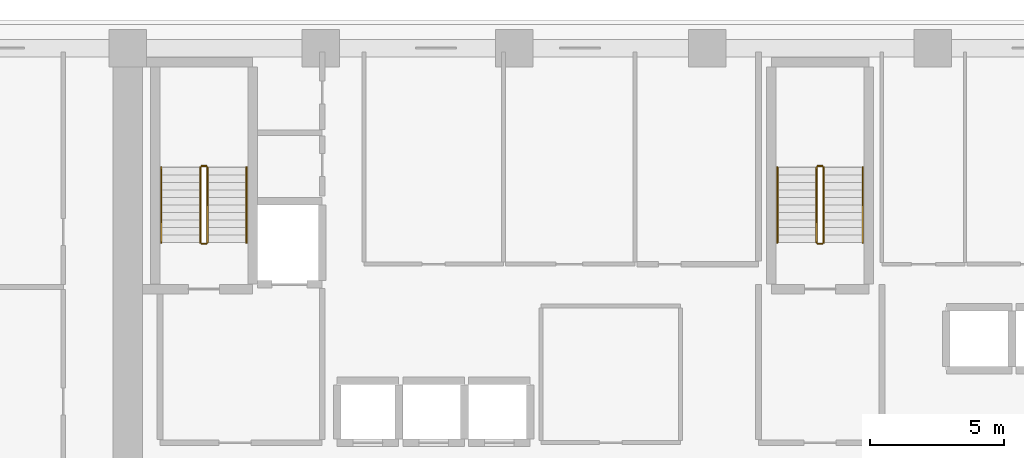
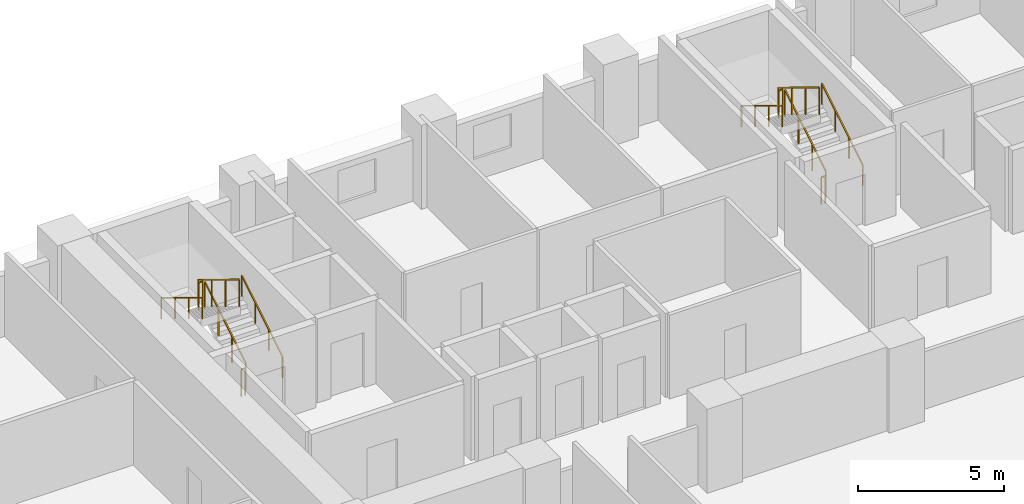
# One storey, part 13 of 15: 12 railings.
"""IFC4 building model written with IfcOpenShell, lengths in metres."""

from ifc_helpers import new_model, si_unit, direction, frame, origin, origin_2d, place, context, subcontext, project, spatial, rectangle, extrude, material, type_object, element, save


model = new_model("IFC4")

# Units and contexts
model_context = context("Model", 3, precision=1e-05, world=origin(), true_north=direction((0.0, 1.0)))
body_context = subcontext(model_context, "Body", "Model", "MODEL_VIEW")
ifc_project = project(units=[si_unit("LENGTHUNIT", "METRE"), si_unit("AREAUNIT", "SQUARE_METRE"), si_unit("VOLUMEUNIT", "CUBIC_METRE"), si_unit("PLANEANGLEUNIT", "RADIAN"), si_unit("MASSUNIT", "GRAM", prefix="KILO")], contexts=[model_context])

# Site, building, storey
site_placement = place(None, origin())
site = spatial("IfcSite", under=ifc_project, at=site_placement, CompositionType="ELEMENT")
building_placement = place(site_placement, origin())
building = spatial("IfcBuilding", under=site, at=building_placement, Name="Kaelvorn Grand Hotel", CompositionType="ELEMENT")
storey_placement = place(building_placement, frame((0.0, 0.0, 68.89990234375)))
storey = spatial("IfcBuildingStorey", under=building, at=storey_placement, Name="L15", CompositionType="ELEMENT", Elevation=68.89990234375)

# Railings
ifc_material = material(Name="Stainless Steel", Category="steel")
railing_type_1 = type_object("IfcRailingType", Name="RL-HANDRAIL-900", PredefinedType="HANDRAIL", material=ifc_material)
railing_1_placement = place(storey_placement, frame((20.6298828125, 41.760009765625, 0.170654296875)))
element("IfcRailing", 1, at=railing_1_placement, inside=storey, type_object=railing_type_1, Name="L15 ST1 stair handrail 1", PredefinedType="HANDRAIL", context=body_context, shape_type="SweptSolid", body=[
    extrude(rectangle(XDim=0.048095703125, YDim=0.048095703125, at=origin_2d()), frame((0.0, 0.0, 0.8759765625), z_axis=(0.0, 0.854202870247, 0.519939858505), x_axis=(-1.0, 0.0, 0.0)), (0.0, 0.0, 1.0), 3.278076171875),
    extrude(rectangle(XDim=0.0419921875, YDim=0.0419921875, at=origin_2d()), origin(), (0.0, 0.0, 1.0), 0.851806640625),
    extrude(rectangle(XDim=0.0419921875, YDim=0.0419921875, at=origin_2d()), frame((0.0, 0.933349609375, 0.568115234375)), (0.0, 0.0, 1.0), 0.851806640625),
    extrude(rectangle(XDim=0.0419921875, YDim=0.0419921875, at=origin_2d()), frame((0.0, 1.86669921875, 1.13623046875)), (0.0, 0.0, 1.0), 0.851806640625),
    extrude(rectangle(XDim=0.0419921875, YDim=0.0419921875, at=origin_2d()), frame((0.0, 2.800048828125, 1.704345703125)), (0.0, 0.0, 1.0), 0.851806640625),
])
railing_2_placement = place(storey_placement, frame((17.449951171875, 44.56005859375, 2.045654296875)))
element("IfcRailing", 2, at=railing_2_placement, inside=storey, type_object=railing_type_1, Name="L15 ST1 stair handrail 2", PredefinedType="HANDRAIL", context=body_context, shape_type="SweptSolid", body=[
    extrude(rectangle(XDim=0.048095703125, YDim=0.048095703125, at=origin_2d()), frame((0.0, 0.0, 0.8759765625), z_axis=(0.0, -0.854202870247, 0.519939858505), x_axis=(1.0, 0.0, 0.0)), (0.0, 0.0, 1.0), 3.278076171875),
    extrude(rectangle(XDim=0.0419921875, YDim=0.0419921875, at=origin_2d()), origin(), (0.0, 0.0, 1.0), 0.851806640625),
    extrude(rectangle(XDim=0.0419921875, YDim=0.0419921875, at=origin_2d()), frame((0.0, -0.933349609375, 0.568115234375)), (0.0, 0.0, 1.0), 0.851806640625),
    extrude(rectangle(XDim=0.0419921875, YDim=0.0419921875, at=origin_2d()), frame((0.0, -1.86669921875, 1.13623046875)), (0.0, 0.0, 1.0), 0.851806640625),
    extrude(rectangle(XDim=0.0419921875, YDim=0.0419921875, at=origin_2d()), frame((0.0, -2.800048828125, 1.704345703125)), (0.0, 0.0, 1.0), 0.851806640625),
])
railing_3_placement = place(storey_placement, frame((43.590087890625, 41.760009765625, 0.170654296875)))
element("IfcRailing", 3, at=railing_3_placement, inside=storey, type_object=railing_type_1, Name="L15 ST2 stair handrail 1", PredefinedType="HANDRAIL", context=body_context, shape_type="SweptSolid", body=[
    extrude(rectangle(XDim=0.048095703125, YDim=0.048095703125, at=origin_2d()), frame((0.0, 0.0, 0.8759765625), z_axis=(0.0, 0.854202870247, 0.519939858505), x_axis=(-1.0, 0.0, 0.0)), (0.0, 0.0, 1.0), 3.278076171875),
    extrude(rectangle(XDim=0.0419921875, YDim=0.0419921875, at=origin_2d()), origin(), (0.0, 0.0, 1.0), 0.851806640625),
    extrude(rectangle(XDim=0.0419921875, YDim=0.0419921875, at=origin_2d()), frame((0.0, 0.933349609375, 0.568115234375)), (0.0, 0.0, 1.0), 0.851806640625),
    extrude(rectangle(XDim=0.0419921875, YDim=0.0419921875, at=origin_2d()), frame((0.0, 1.86669921875, 1.13623046875)), (0.0, 0.0, 1.0), 0.851806640625),
    extrude(rectangle(XDim=0.0419921875, YDim=0.0419921875, at=origin_2d()), frame((0.0, 2.800048828125, 1.704345703125)), (0.0, 0.0, 1.0), 0.851806640625),
])
railing_4_placement = place(storey_placement, frame((40.409912109375, 44.56005859375, 2.045654296875)))
element("IfcRailing", 4, at=railing_4_placement, inside=storey, type_object=railing_type_1, Name="L15 ST2 stair handrail 2", PredefinedType="HANDRAIL", context=body_context, shape_type="SweptSolid", body=[
    extrude(rectangle(XDim=0.048095703125, YDim=0.048095703125, at=origin_2d()), frame((0.0, 0.0, 0.8759765625), z_axis=(0.0, -0.854202870247, 0.519939858505), x_axis=(1.0, 0.0, 0.0)), (0.0, 0.0, 1.0), 3.278076171875),
    extrude(rectangle(XDim=0.0419921875, YDim=0.0419921875, at=origin_2d()), origin(), (0.0, 0.0, 1.0), 0.851806640625),
    extrude(rectangle(XDim=0.0419921875, YDim=0.0419921875, at=origin_2d()), frame((0.0, -0.933349609375, 0.568115234375)), (0.0, 0.0, 1.0), 0.851806640625),
    extrude(rectangle(XDim=0.0419921875, YDim=0.0419921875, at=origin_2d()), frame((0.0, -1.86669921875, 1.13623046875)), (0.0, 0.0, 1.0), 0.851806640625),
    extrude(rectangle(XDim=0.0419921875, YDim=0.0419921875, at=origin_2d()), frame((0.0, -2.800048828125, 1.704345703125)), (0.0, 0.0, 1.0), 0.851806640625),
])
railing_type_2 = type_object("IfcRailingType", Name="RL-STAIR-GUARD-1150", PredefinedType="BALUSTRADE", material=ifc_material)
railing_5_placement = place(storey_placement, frame((19.169921875, 41.760009765625, 0.170654296875)))
element("IfcRailing", 5, at=railing_5_placement, inside=storey, type_object=railing_type_2, Name="L15 ST1 stair guard 1", PredefinedType="BALUSTRADE", context=body_context, shape_type="SweptSolid", body=[
    extrude(rectangle(XDim=0.048095703125, YDim=0.048095703125, at=origin_2d()), frame((0.0, 0.0, 1.1259765625), z_axis=(0.0, 0.854202870247, 0.519939858505), x_axis=(-1.0, 0.0, 0.0)), (0.0, 0.0, 1.0), 3.278076171875),
    extrude(rectangle(XDim=0.0419921875, YDim=0.0419921875, at=origin_2d()), origin(), (0.0, 0.0, 1.0), 1.101806640625),
    extrude(rectangle(XDim=0.0419921875, YDim=0.0419921875, at=origin_2d()), frame((0.0, 0.933349609375, 0.568115234375)), (0.0, 0.0, 1.0), 1.101806640625),
    extrude(rectangle(XDim=0.0419921875, YDim=0.0419921875, at=origin_2d()), frame((0.0, 1.86669921875, 1.13623046875)), (0.0, 0.0, 1.0), 1.101806640625),
    extrude(rectangle(XDim=0.0419921875, YDim=0.0419921875, at=origin_2d()), frame((0.0, 2.800048828125, 1.704345703125)), (0.0, 0.0, 1.0), 1.101806640625),
])
railing_6_placement = place(storey_placement, frame((19.1201171875, 44.610107421875, 1.875)))
element("IfcRailing", 6, at=railing_6_placement, inside=storey, type_object=railing_type_2, Name="L15 ST1 stair guard 2", PredefinedType="BALUSTRADE", context=body_context, shape_type="SweptSolid", body=[
    extrude(rectangle(XDim=0.048095703125, YDim=0.048095703125, at=origin_2d()), frame((0.0, 0.0, 1.1259765625), z_axis=(-1.0, 0.0, 0.0), x_axis=(0.0, -1.0, 0.0)), (0.0, 0.0, 1.0), 0.16015625),
    extrude(rectangle(XDim=0.0419921875, YDim=0.0419921875, at=origin_2d()), origin(), (0.0, 0.0, 1.0), 1.101806640625),
    extrude(rectangle(XDim=0.0419921875, YDim=0.0419921875, at=origin_2d()), frame((-0.16015625, 0.0, 0.0)), (0.0, 0.0, 1.0), 1.101806640625),
])
railing_7_placement = place(storey_placement, frame((18.909912109375, 44.56005859375, 2.045654296875)))
element("IfcRailing", 7, at=railing_7_placement, inside=storey, type_object=railing_type_2, Name="L15 ST1 stair guard 3", PredefinedType="BALUSTRADE", context=body_context, shape_type="SweptSolid", body=[
    extrude(rectangle(XDim=0.048095703125, YDim=0.048095703125, at=origin_2d()), frame((0.0, 0.0, 1.1259765625), z_axis=(0.0, -0.854202870247, 0.519939858505), x_axis=(1.0, 0.0, 0.0)), (0.0, 0.0, 1.0), 3.278076171875),
    extrude(rectangle(XDim=0.0419921875, YDim=0.0419921875, at=origin_2d()), origin(), (0.0, 0.0, 1.0), 1.101806640625),
    extrude(rectangle(XDim=0.0419921875, YDim=0.0419921875, at=origin_2d()), frame((0.0, -0.933349609375, 0.568115234375)), (0.0, 0.0, 1.0), 1.101806640625),
    extrude(rectangle(XDim=0.0419921875, YDim=0.0419921875, at=origin_2d()), frame((0.0, -1.86669921875, 1.13623046875)), (0.0, 0.0, 1.0), 1.101806640625),
    extrude(rectangle(XDim=0.0419921875, YDim=0.0419921875, at=origin_2d()), frame((0.0, -2.800048828125, 1.704345703125)), (0.0, 0.0, 1.0), 1.101806640625),
])
railing_8_placement = place(storey_placement, frame((19.1201171875, 41.7099609375, 0.0)))
element("IfcRailing", 8, at=railing_8_placement, inside=storey, type_object=railing_type_2, Name="L15 ST1 stair guard 4", PredefinedType="BALUSTRADE", context=body_context, shape_type="SweptSolid", body=[
    extrude(rectangle(XDim=0.048095703125, YDim=0.048095703125, at=origin_2d()), frame((0.0, 0.0, 1.1259765625), z_axis=(-1.0, 0.0, 0.0), x_axis=(0.0, -1.0, 0.0)), (0.0, 0.0, 1.0), 0.16015625),
    extrude(rectangle(XDim=0.0419921875, YDim=0.0419921875, at=origin_2d()), origin(), (0.0, 0.0, 1.0), 1.101806640625),
    extrude(rectangle(XDim=0.0419921875, YDim=0.0419921875, at=origin_2d()), frame((-0.16015625, 0.0, 0.0)), (0.0, 0.0, 1.0), 1.101806640625),
])
railing_9_placement = place(storey_placement, frame((42.1298828125, 41.760009765625, 0.170654296875)))
element("IfcRailing", 9, at=railing_9_placement, inside=storey, type_object=railing_type_2, Name="L15 ST2 stair guard 1", PredefinedType="BALUSTRADE", context=body_context, shape_type="SweptSolid", body=[
    extrude(rectangle(XDim=0.048095703125, YDim=0.048095703125, at=origin_2d()), frame((0.0, 0.0, 1.1259765625), z_axis=(0.0, 0.854202870247, 0.519939858505), x_axis=(-1.0, 0.0, 0.0)), (0.0, 0.0, 1.0), 3.278076171875),
    extrude(rectangle(XDim=0.0419921875, YDim=0.0419921875, at=origin_2d()), origin(), (0.0, 0.0, 1.0), 1.101806640625),
    extrude(rectangle(XDim=0.0419921875, YDim=0.0419921875, at=origin_2d()), frame((0.0, 0.933349609375, 0.568115234375)), (0.0, 0.0, 1.0), 1.101806640625),
    extrude(rectangle(XDim=0.0419921875, YDim=0.0419921875, at=origin_2d()), frame((0.0, 1.86669921875, 1.13623046875)), (0.0, 0.0, 1.0), 1.101806640625),
    extrude(rectangle(XDim=0.0419921875, YDim=0.0419921875, at=origin_2d()), frame((0.0, 2.800048828125, 1.704345703125)), (0.0, 0.0, 1.0), 1.101806640625),
])
railing_10_placement = place(storey_placement, frame((42.080078125, 44.610107421875, 1.875)))
element("IfcRailing", 10, at=railing_10_placement, inside=storey, type_object=railing_type_2, Name="L15 ST2 stair guard 2", PredefinedType="BALUSTRADE", context=body_context, shape_type="SweptSolid", body=[
    extrude(rectangle(XDim=0.048095703125, YDim=0.048095703125, at=origin_2d()), frame((0.0, 0.0, 1.1259765625), z_axis=(-1.0, 0.0, 0.0), x_axis=(0.0, -1.0, 0.0)), (0.0, 0.0, 1.0), 0.16015625),
    extrude(rectangle(XDim=0.0419921875, YDim=0.0419921875, at=origin_2d()), origin(), (0.0, 0.0, 1.0), 1.101806640625),
    extrude(rectangle(XDim=0.0419921875, YDim=0.0419921875, at=origin_2d()), frame((-0.16015625, 0.0, 0.0)), (0.0, 0.0, 1.0), 1.101806640625),
])
railing_11_placement = place(storey_placement, frame((41.8701171875, 44.56005859375, 2.045654296875)))
element("IfcRailing", 11, at=railing_11_placement, inside=storey, type_object=railing_type_2, Name="L15 ST2 stair guard 3", PredefinedType="BALUSTRADE", context=body_context, shape_type="SweptSolid", body=[
    extrude(rectangle(XDim=0.048095703125, YDim=0.048095703125, at=origin_2d()), frame((0.0, 0.0, 1.1259765625), z_axis=(0.0, -0.854202870247, 0.519939858505), x_axis=(1.0, 0.0, 0.0)), (0.0, 0.0, 1.0), 3.278076171875),
    extrude(rectangle(XDim=0.0419921875, YDim=0.0419921875, at=origin_2d()), origin(), (0.0, 0.0, 1.0), 1.101806640625),
    extrude(rectangle(XDim=0.0419921875, YDim=0.0419921875, at=origin_2d()), frame((0.0, -0.933349609375, 0.568115234375)), (0.0, 0.0, 1.0), 1.101806640625),
    extrude(rectangle(XDim=0.0419921875, YDim=0.0419921875, at=origin_2d()), frame((0.0, -1.86669921875, 1.13623046875)), (0.0, 0.0, 1.0), 1.101806640625),
    extrude(rectangle(XDim=0.0419921875, YDim=0.0419921875, at=origin_2d()), frame((0.0, -2.800048828125, 1.704345703125)), (0.0, 0.0, 1.0), 1.101806640625),
])
railing_12_placement = place(storey_placement, frame((42.080078125, 41.7099609375, 0.0)))
element("IfcRailing", 12, at=railing_12_placement, inside=storey, type_object=railing_type_2, Name="L15 ST2 stair guard 4", PredefinedType="BALUSTRADE", context=body_context, shape_type="SweptSolid", body=[
    extrude(rectangle(XDim=0.048095703125, YDim=0.048095703125, at=origin_2d()), frame((0.0, 0.0, 1.1259765625), z_axis=(-1.0, 0.0, 0.0), x_axis=(0.0, -1.0, 0.0)), (0.0, 0.0, 1.0), 0.16015625),
    extrude(rectangle(XDim=0.0419921875, YDim=0.0419921875, at=origin_2d()), origin(), (0.0, 0.0, 1.0), 1.101806640625),
    extrude(rectangle(XDim=0.0419921875, YDim=0.0419921875, at=origin_2d()), frame((-0.16015625, 0.0, 0.0)), (0.0, 0.0, 1.0), 1.101806640625),
])

save(model, "model.ifc")
